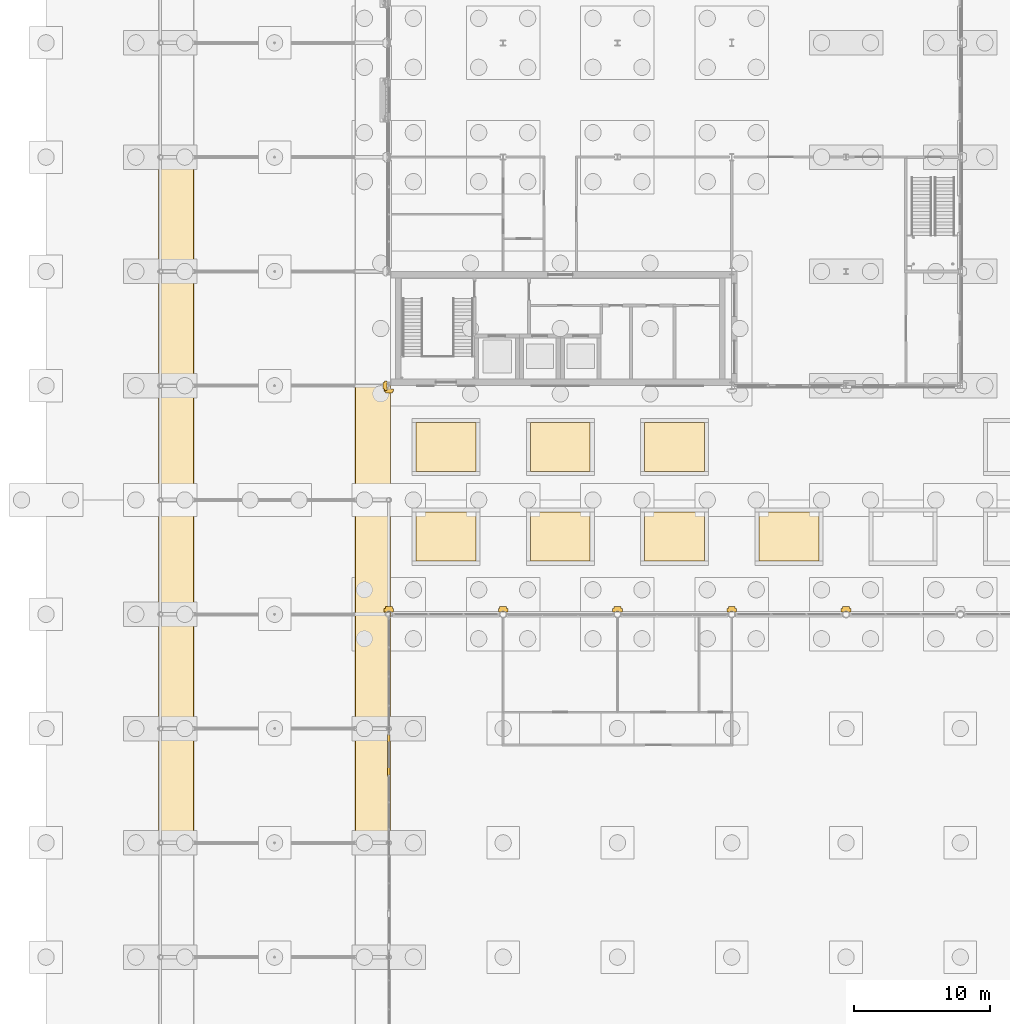
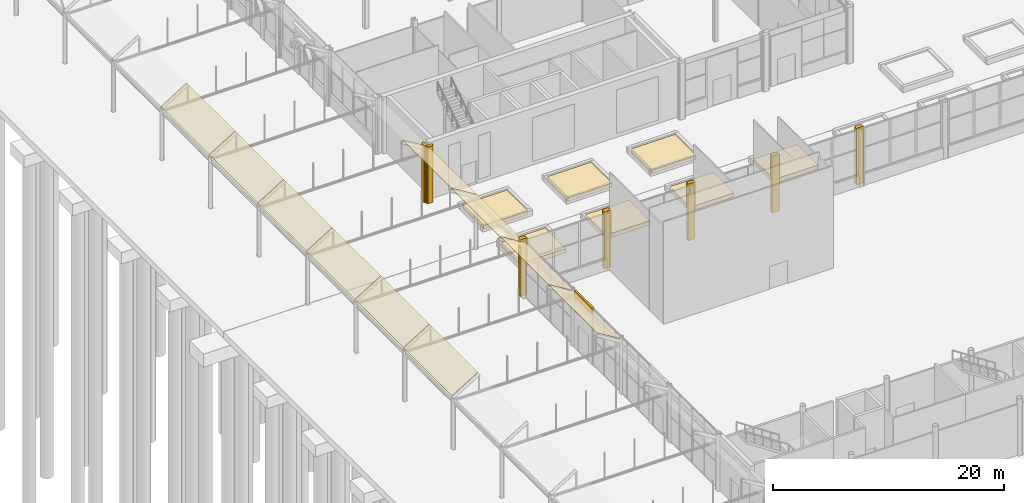
# One storey, part 199 of 212: 25 coverings.
"""IFC4 building model written with IfcOpenShell, lengths in metres."""

from ifc_helpers import new_model, si_unit, direction, frame, origin, origin_2d, place, context, subcontext, project, spatial, polyline, rectangle, outline, extrude, material, layer, layer_set, type_object, element, save


model = new_model("IFC4")

# Units and contexts
model_context = context("Model", 3, precision=1e-05, world=origin(), true_north=direction((0.0, 1.0)))
body_context = subcontext(model_context, "Body", "Model", "MODEL_VIEW")
ifc_project = project(units=[si_unit("LENGTHUNIT", "METRE"), si_unit("AREAUNIT", "SQUARE_METRE"), si_unit("VOLUMEUNIT", "CUBIC_METRE"), si_unit("PLANEANGLEUNIT", "RADIAN"), si_unit("MASSUNIT", "GRAM", prefix="KILO")], contexts=[model_context])

# Site, building, storey
site_placement = place(None, origin())
site = spatial("IfcSite", under=ifc_project, at=site_placement, CompositionType="ELEMENT")
building_placement = place(site_placement, origin())
building = spatial("IfcBuilding", under=site, at=building_placement, Name="Catenary Quay Ferry Terminal", CompositionType="ELEMENT")
storey_placement = place(building_placement, origin())
storey = spatial("IfcBuildingStorey", under=building, at=storey_placement, Name="L00", CompositionType="ELEMENT", Elevation=0.0)

# Coverings
ifc_material_1 = material(Name="Ceramic tile")
ifc_layer_1 = layer(ifc_material_1, 0.0400390625)
ifc_layer_set_1 = layer_set([ifc_layer_1], Name="CL2")
covering_type_1 = type_object("IfcCoveringType", Name="CL2", PredefinedType="CLADDING", material=ifc_layer_set_1)
covering_1_placement = place(storey_placement, origin())
element("IfcCovering", 1, at=covering_1_placement, inside=storey, type_object=covering_type_1, Name="Ceramic pier casing", PredefinedType="CLADDING", context=body_context, shape_type="SweptSolid", body=[
    extrude(outline(polyline([(25.050048828125, 159.949951171875), (24.8701171875, 159.949951171875), (24.8701171875, 159.85009765625), (24.75, 159.85009765625), (24.75, 159.35009765625), (24.8701171875, 159.35009765625), (24.8701171875, 159.25), (25.050048828125, 159.25), (25.050048828125, 159.949951171875)])), origin(), (0.0, 0.0, 1.0), 6.0),
])
covering_2_placement = place(storey_placement, origin())
element("IfcCovering", 2, at=covering_2_placement, inside=storey, type_object=covering_type_1, Name="Ceramic pier casing", PredefinedType="CLADDING", context=body_context, shape_type="SweptSolid", body=[
    extrude(outline(polyline([(24.85009765625, 159.35009765625), (24.85009765625, 159.169921875), (24.949951171875, 159.169921875), (24.949951171875, 159.050048828125), (25.449951171875, 159.050048828125), (25.449951171875, 159.169921875), (25.550048828125, 159.169921875), (25.550048828125, 159.35009765625), (24.85009765625, 159.35009765625)])), origin(), (0.0, 0.0, 1.0), 6.0),
])
covering_3_placement = place(storey_placement, origin())
element("IfcCovering", 3, at=covering_3_placement, inside=storey, type_object=covering_type_1, Name="Ceramic pier casing", PredefinedType="CLADDING", context=body_context, shape_type="SweptSolid", body=[
    extrude(outline(polyline([(25.553955078125, 142.9541015625), (25.553955078125, 143.23388671875), (25.4541015625, 143.23388671875), (25.4541015625, 143.35400390625), (24.946044921875, 143.35400390625), (24.946044921875, 143.23388671875), (24.845947265625, 143.23388671875), (24.845947265625, 142.9541015625), (25.553955078125, 142.9541015625)])), origin(), (0.0, 0.0, 1.0), 6.0),
])
covering_4_placement = place(storey_placement, origin())
element("IfcCovering", 4, at=covering_4_placement, inside=storey, type_object=covering_type_1, Name="Ceramic pier casing", PredefinedType="CLADDING", context=body_context, shape_type="SweptSolid", body=[
    extrude(outline(polyline([(33.9541015625, 142.9541015625), (33.9541015625, 143.23388671875), (33.85400390625, 143.23388671875), (33.85400390625, 143.35400390625), (33.345947265625, 143.35400390625), (33.345947265625, 143.23388671875), (33.24609375, 143.23388671875), (33.24609375, 142.9541015625), (33.9541015625, 142.9541015625)])), origin(), (0.0, 0.0, 1.0), 6.0),
])
covering_5_placement = place(storey_placement, origin())
element("IfcCovering", 5, at=covering_5_placement, inside=storey, type_object=covering_type_1, Name="Ceramic pier casing", PredefinedType="CLADDING", context=body_context, shape_type="SweptSolid", body=[
    extrude(outline(polyline([(42.35400390625, 142.9541015625), (42.35400390625, 143.23388671875), (42.25390625, 143.23388671875), (42.25390625, 143.35400390625), (41.74609375, 143.35400390625), (41.74609375, 143.23388671875), (41.64599609375, 143.23388671875), (41.64599609375, 142.9541015625), (42.35400390625, 142.9541015625)])), origin(), (0.0, 0.0, 1.0), 6.0),
])
covering_6_placement = place(storey_placement, origin())
element("IfcCovering", 6, at=covering_6_placement, inside=storey, type_object=covering_type_1, Name="Ceramic pier casing", PredefinedType="CLADDING", context=body_context, shape_type="SweptSolid", body=[
    extrude(outline(polyline([(50.75390625, 142.9541015625), (50.75390625, 143.23388671875), (50.654052734375, 143.23388671875), (50.654052734375, 143.35400390625), (50.14599609375, 143.35400390625), (50.14599609375, 143.23388671875), (50.0458984375, 143.23388671875), (50.0458984375, 142.9541015625), (50.75390625, 142.9541015625)])), origin(), (0.0, 0.0, 1.0), 6.0),
])
covering_7_placement = place(storey_placement, origin())
element("IfcCovering", 7, at=covering_7_placement, inside=storey, type_object=covering_type_1, Name="Ceramic pier casing", PredefinedType="CLADDING", context=body_context, shape_type="SweptSolid", body=[
    extrude(outline(polyline([(59.154052734375, 142.9541015625), (59.154052734375, 143.23388671875), (59.053955078125, 143.23388671875), (59.053955078125, 143.35400390625), (58.5458984375, 143.35400390625), (58.5458984375, 143.23388671875), (58.446044921875, 143.23388671875), (58.446044921875, 142.9541015625), (59.154052734375, 142.9541015625)])), origin(), (0.0, 0.0, 1.0), 6.0),
])
ifc_material_2 = material(Name="Ceramic tile")
ifc_layer_2 = layer(ifc_material_2, 0.034912109375)
ifc_layer_set_2 = layer_set([ifc_layer_2], Name="CL5")
covering_type_2 = type_object("IfcCoveringType", Name="CL5", PredefinedType="CLADDING", material=ifc_layer_set_2)
covering_8_placement = place(storey_placement, frame((25.199951171875, 132.449951171875, 5.32666015625), z_axis=(0.0, 0.0, 1.0), x_axis=(1.0, 0.0, 0.0)))
element("IfcCovering", 8, at=covering_8_placement, inside=storey, type_object=covering_type_2, Name="Slot gable departure hall cladding CL5", PredefinedType="CLADDING", context=body_context, shape_type="SweptSolid", body=[
    extrude(rectangle(XDim=0.199951171875, YDim=3.110107421875, at=origin_2d()), origin(), (0.0, 0.0, 1.0), 0.67333984375),
])
ifc_material_3 = material(Name="Laminated glass", Category="glass")
ifc_layer_3 = layer(ifc_material_3, 0.030029296875)
ifc_layer_set_3 = layer_set([ifc_layer_3], Name="RF2")
covering_type_3 = type_object("IfcCoveringType", Name="RF2", PredefinedType="ROOFING", material=ifc_layer_set_3)
for number, where, z_axis, x_axis, name in (
    (9, (8.265380859375, 126.0, 5.618408203125), (-0.524540171999, 0.0, 0.851385698705), (0.0, 1.0, 0.0), "Forecourt canopy roof"),
    (10, (22.74169921875, 126.0, 7.2158203125), (0.524540171999, 0.0, 0.851385698705), (0.0, 1.0, 0.0), "Forecourt canopy roof"),
):
    element("IfcCovering", number, at=place(storey_placement, frame(where, z_axis=z_axis, x_axis=x_axis)), inside=storey, type_object=covering_type_3, Name=name, PredefinedType="ROOFING", context=body_context, shape_type="SweptSolid", body=[
        extrude(outline(polyline([(0.0, 0.0), (8.39990234375, 0.0), (8.39990234375, -3.0453570472743348), (0.0, -3.0453570472743348), (0.0, 0.0)])), origin(), (0.0, 0.0, -1.0), 0.03515625),
    ])
for number, where, z_axis, x_axis, name in (
    (11, (8.265380859375, 134.39990234375, 5.618408203125), (-0.524540171999, 0.0, 0.851385698705), (0.0, 1.0, 0.0), "Forecourt canopy roof"),
    (12, (22.74169921875, 134.39990234375, 7.2158203125), (0.524540171999, 0.0, 0.851385698705), (0.0, 1.0, 0.0), "Forecourt canopy roof"),
):
    element("IfcCovering", number, at=place(storey_placement, frame(where, z_axis=z_axis, x_axis=x_axis)), inside=storey, type_object=covering_type_3, Name=name, PredefinedType="ROOFING", context=body_context, shape_type="SweptSolid", body=[
        extrude(outline(polyline([(0.0, 0.0), (8.400146484375, 0.0), (8.400146484375, -3.0453570472743348), (0.0, -3.0453570472743348), (0.0, 0.0)])), origin(), (0.0, 0.0, -1.0), 0.03515625),
    ])
for number, where, z_axis, x_axis, name in (
    (13, (8.265380859375, 142.800048828125, 5.618408203125), (-0.524540171999, 0.0, 0.851385698705), (0.0, 1.0, 0.0), "Forecourt canopy roof"),
    (14, (22.74169921875, 142.800048828125, 7.2158203125), (0.524540171999, 0.0, 0.851385698705), (0.0, 1.0, 0.0), "Forecourt canopy roof"),
):
    element("IfcCovering", number, at=place(storey_placement, frame(where, z_axis=z_axis, x_axis=x_axis)), inside=storey, type_object=covering_type_3, Name=name, PredefinedType="ROOFING", context=body_context, shape_type="SweptSolid", body=[
        extrude(outline(polyline([(0.0, 0.0), (8.39990234375, 0.0), (8.39990234375, -3.0453570472743348), (0.0, -3.0453570472743348), (0.0, 0.0)])), origin(), (0.0, 0.0, -1.0), 0.03515625),
    ])
for number, where, z_axis, x_axis, name in (
    (15, (8.265380859375, 151.199951171875, 5.618408203125), (-0.524540171999, 0.0, 0.851385698705), (0.0, 1.0, 0.0), "Forecourt canopy roof"),
    (16, (22.74169921875, 151.199951171875, 7.2158203125), (0.524540171999, 0.0, 0.851385698705), (0.0, 1.0, 0.0), "Forecourt canopy roof"),
):
    element("IfcCovering", number, at=place(storey_placement, frame(where, z_axis=z_axis, x_axis=x_axis)), inside=storey, type_object=covering_type_3, Name=name, PredefinedType="ROOFING", context=body_context, shape_type="SweptSolid", body=[
        extrude(outline(polyline([(0.0, 0.0), (8.400146484375, 0.0), (8.400146484375, -3.0453570472743348), (0.0, -3.0453570472743348), (0.0, 0.0)])), origin(), (0.0, 0.0, -1.0), 0.03515625),
    ])
for number, where, z_axis, x_axis, name in (
    (17, (8.265380859375, 159.60009765625, 5.618408203125), (-0.524540171999, 0.0, 0.851385698705), (0.0, 1.0, 0.0), "Forecourt canopy roof"),
    (18, (8.265380859375, 168.0, 5.618408203125), (-0.524540171999, 0.0, 0.851385698705), (0.0, 1.0, 0.0), "Forecourt canopy roof"),
):
    element("IfcCovering", number, at=place(storey_placement, frame(where, z_axis=z_axis, x_axis=x_axis)), inside=storey, type_object=covering_type_3, Name=name, PredefinedType="ROOFING", context=body_context, shape_type="SweptSolid", body=[
        extrude(outline(polyline([(0.0, 0.0), (8.39990234375, 0.0), (8.39990234375, -3.0453570472743348), (0.0, -3.0453570472743348), (0.0, 0.0)])), origin(), (0.0, 0.0, -1.0), 0.03515625),
    ])
ifc_material_4 = material(Name="Planting soil")
ifc_layer_4 = layer(ifc_material_4, 0.449951171875)
ifc_layer_set_4 = layer_set([ifc_layer_4], Name="SO1")
covering_type_4 = type_object("IfcCoveringType", Name="SO1", PredefinedType="FLOORING", material=ifc_layer_set_4)
for number, where, z_axis, x_axis, name in (
    (19, (29.39990234375, 148.5, 0.0), (0.0, 0.0, 1.0), (1.0, 0.0, 0.0), "Planting soil bed"),
    (20, (29.39990234375, 155.10009765625, 0.0), (0.0, 0.0, 1.0), (1.0, 0.0, 0.0), "Planting soil bed"),
    (21, (37.800048828125, 148.5, 0.0), (0.0, 0.0, 1.0), (1.0, 0.0, 0.0), "Planting soil bed"),
    (22, (37.800048828125, 155.10009765625, 0.0), (0.0, 0.0, 1.0), (1.0, 0.0, 0.0), "Planting soil bed"),
    (23, (46.199951171875, 148.5, 0.0), (0.0, 0.0, 1.0), (1.0, 0.0, 0.0), "Planting soil bed"),
    (24, (46.199951171875, 155.10009765625, 0.0), (0.0, 0.0, 1.0), (1.0, 0.0, 0.0), "Planting soil bed"),
    (25, (54.60009765625, 148.5, 0.0), (0.0, 0.0, 1.0), (1.0, 0.0, 0.0), "Planting soil bed"),
):
    element("IfcCovering", number, at=place(storey_placement, frame(where, z_axis=z_axis, x_axis=x_axis)), inside=storey, type_object=covering_type_4, Name=name, PredefinedType="FLOORING", context=body_context, shape_type="SweptSolid", body=[
        extrude(rectangle(XDim=4.39990234375, YDim=3.60009765625, at=origin_2d()), origin(), (0.0, 0.0, 1.0), 0.449951171875),
    ])

save(model, "model.ifc")
